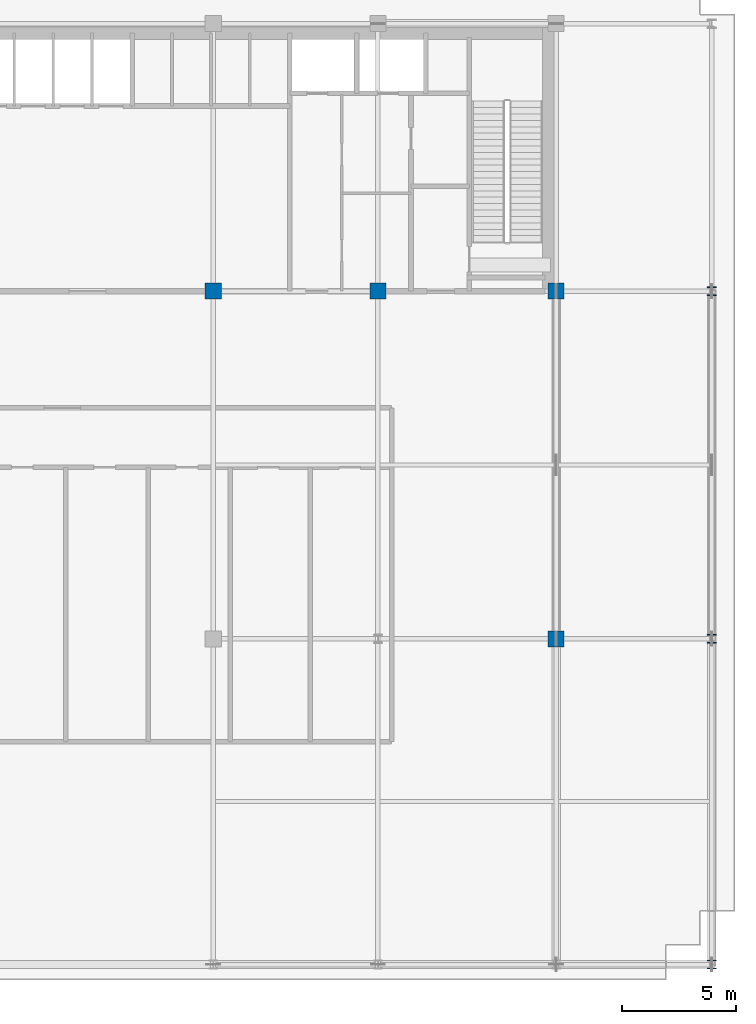
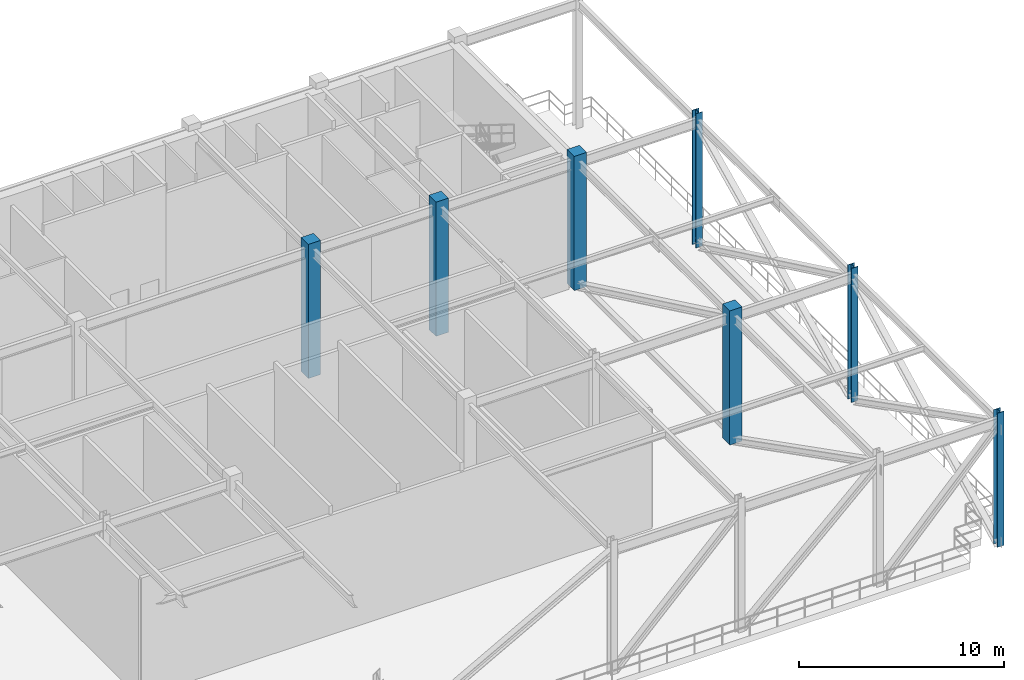
# One storey, part 2 of 14: 7 columns.
"""IFC4 building model written with IfcOpenShell, lengths in metres."""

from ifc_helpers import new_model, si_unit, direction, frame, origin, origin_2d, place, context, subcontext, project, spatial, rectangle, i_section, extrude, source, transform, mapped, material, material_profile, profile_set, type_object, element, save


model = new_model("IFC4")

# Units and contexts
model_context = context("Model", 3, precision=1e-05, world=origin(), true_north=direction((0.0, 1.0)))
body_context = subcontext(model_context, "Body", "Model", "MODEL_VIEW")
ifc_project = project(units=[si_unit("LENGTHUNIT", "METRE"), si_unit("AREAUNIT", "SQUARE_METRE"), si_unit("VOLUMEUNIT", "CUBIC_METRE"), si_unit("PLANEANGLEUNIT", "RADIAN"), si_unit("MASSUNIT", "GRAM", prefix="KILO")], contexts=[model_context])

# Site, building, storey
site_placement = place(None, origin())
site = spatial("IfcSite", under=ifc_project, at=site_placement, CompositionType="ELEMENT")
building_placement = place(site_placement, origin())
building = spatial("IfcBuilding", under=site, at=building_placement, Name="Trelvane Seafront Commons", CompositionType="ELEMENT")
storey_placement = place(building_placement, frame((0.0, 0.0, 182.5)))
storey = spatial("IfcBuildingStorey", under=building, at=storey_placement, Name="L48", CompositionType="ELEMENT", Elevation=182.5)

# Columns
ifc_material_1 = material(Name="Steel SM355 (S355)", Category="steel")
ifc_material_profile_1 = material_profile(ifc_material_1, i_section(OverallWidth=0.3798828125, OverallDepth=0.3798828125, WebThickness=0.02001953125, FlangeThickness=0.030029296875, at=origin_2d()), Name="HD-380x380x20x30")
ifc_profile_set_1 = profile_set([ifc_material_profile_1], Name="Steel SM355 (S355)")
column_type_1 = type_object("IfcColumnType", Name="STR-COL-HD380", PredefinedType="COLUMN", material=ifc_profile_set_1)
shared_shape_1 = source(origin(), body_context, "Body", "SweptSolid", [
    extrude(i_section(OverallWidth=0.3798828125, OverallDepth=0.3798828125, WebThickness=0.02001953125, FlangeThickness=0.030029296875, at=origin_2d()), origin(), (0.0, 0.0, 1.0), 8.0),
])
for number, where, z_axis, x_axis, name in (
    (1, (65.60009765625, 3.949951171875, 0.0), (0.0, 0.0, 1.0), (1.0, 0.0, 0.0), "L48 Column TC-S65.6"),
    (2, (65.60009765625, 18.199951171875, 0.0), (0.0, 0.0, 1.0), (1.0, 0.0, 0.0), "L48 Column TC-M65.6"),
    (3, (65.60009765625, 33.39990234375, 0.0), (0.0, 0.0, 1.0), (1.0, 0.0, 0.0), "L48 Column TC-CS65.6"),
):
    element("IfcColumn", number, at=place(storey_placement, frame(where, z_axis=z_axis, x_axis=x_axis)), inside=storey, type_object=column_type_1, Name=name, PredefinedType="COLUMN", context=body_context, shape_type="MappedRepresentation", body=[
        mapped(shared_shape_1, transform((0.0, 0.0, 0.0), x_axis=(1.0, 0.0, 0.0), y_axis=(0.0, 1.0, 0.0), z_axis=(0.0, 0.0, 1.0), scale=1.0)),
    ])
ifc_material_2 = material(Name="Concrete C50/60", Category="concrete")
ifc_material_profile_2 = material_profile(ifc_material_2, rectangle(XDim=0.699951171875, YDim=0.699951171875, at=origin_2d()), Name="RC-700x700")
ifc_profile_set_2 = profile_set([ifc_material_profile_2], Name="Concrete C50/60")
column_type_2 = type_object("IfcColumnType", Name="STR-COL-RC700", PredefinedType="COLUMN", material=ifc_profile_set_2)
shared_shape_2 = source(origin(), body_context, "Body", "SweptSolid", [
    extrude(rectangle(XDim=0.699951171875, YDim=0.699951171875, at=origin_2d()), origin(), (0.0, 0.0, 1.0), 8.0),
])
for number, where, z_axis, x_axis, name in (
    (4, (43.800048828125, 33.39990234375, 0.0), (0.0, 0.0, 1.0), (1.0, 0.0, 0.0), "L48 Column TC-CS43.8"),
    (5, (51.0, 33.39990234375, 0.0), (0.0, 0.0, 1.0), (1.0, 0.0, 0.0), "L48 Column TC-CS51.0"),
    (6, (58.800048828125, 18.199951171875, 0.0), (0.0, 0.0, 1.0), (1.0, 0.0, 0.0), "L48 Column TC-M58.8"),
    (7, (58.800048828125, 33.39990234375, 0.0), (0.0, 0.0, 1.0), (1.0, 0.0, 0.0), "L48 Column TC-CS58.8"),
):
    element("IfcColumn", number, at=place(storey_placement, frame(where, z_axis=z_axis, x_axis=x_axis)), inside=storey, type_object=column_type_2, Name=name, PredefinedType="COLUMN", context=body_context, shape_type="MappedRepresentation", body=[
        mapped(shared_shape_2, transform((0.0, 0.0, 0.0), x_axis=(1.0, 0.0, 0.0), y_axis=(0.0, 1.0, 0.0), z_axis=(0.0, 0.0, 1.0), scale=1.0)),
    ])

save(model, "model.ifc")
